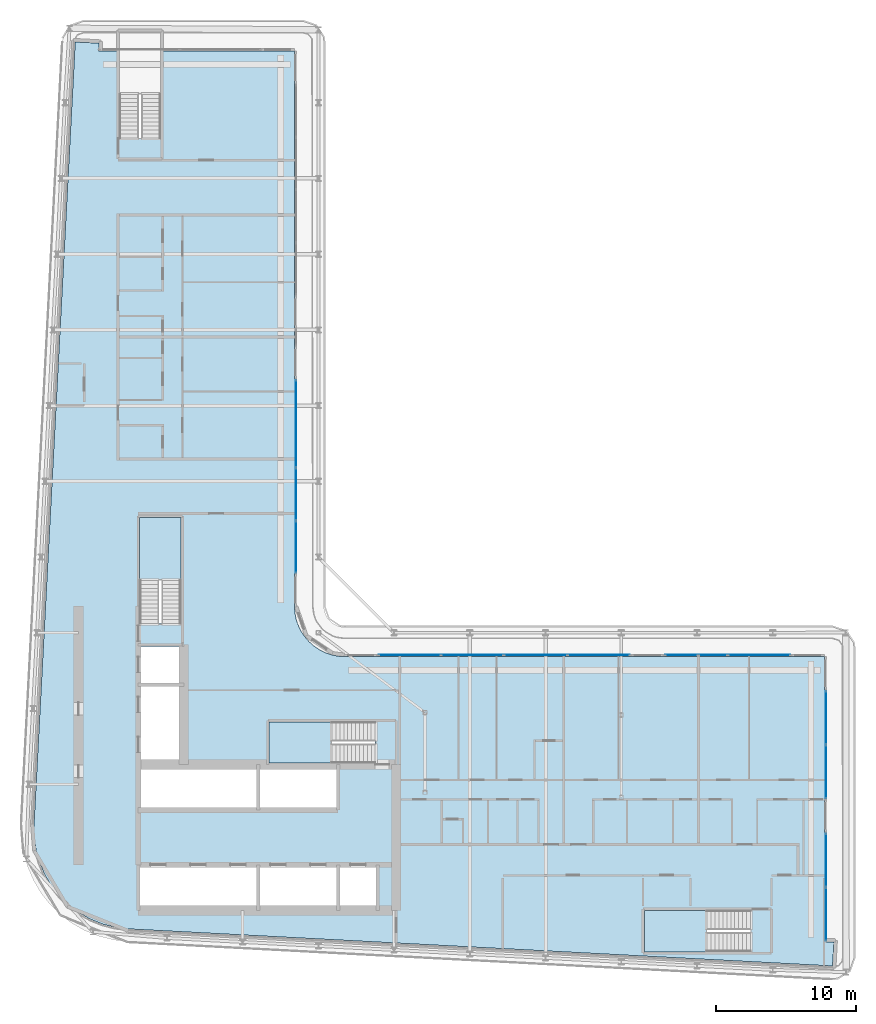
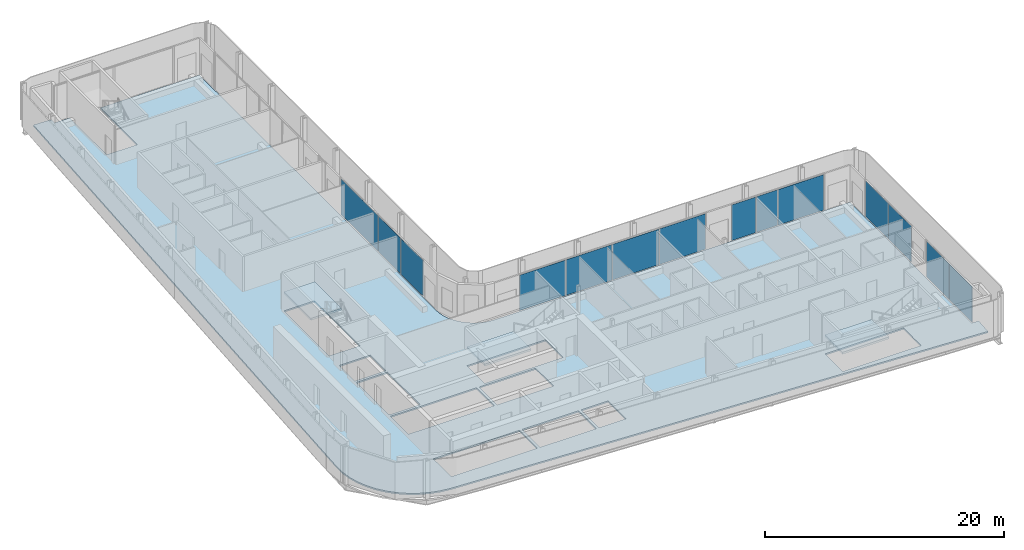
# One storey, part 8 of 21: 14 plates, 4 slabs, 10 elements without a shape of their own.
"""IFC4 building model written with IfcOpenShell, lengths in metres."""

from ifc_helpers import new_model, si_unit, direction, frame, origin, origin_2d, place, context, subcontext, project, spatial, polyline, rectangle, outline, extrude, material, layer, layer_set, type_object, element, aggregate, save


model = new_model("IFC4")

# Units and contexts
model_context = context("Model", 3, precision=1e-05, world=origin(), true_north=direction((0.0, 1.0)))
body_context = subcontext(model_context, "Body", "Model", "MODEL_VIEW")
ifc_project = project(units=[si_unit("LENGTHUNIT", "METRE"), si_unit("AREAUNIT", "SQUARE_METRE"), si_unit("VOLUMEUNIT", "CUBIC_METRE"), si_unit("PLANEANGLEUNIT", "RADIAN"), si_unit("MASSUNIT", "GRAM", prefix="KILO")], contexts=[model_context])

# Site, building, storey
site_placement = place(None, origin())
site = spatial("IfcSite", under=ifc_project, at=site_placement, CompositionType="ELEMENT")
building_placement = place(site_placement, origin())
building = spatial("IfcBuilding", under=site, at=building_placement, Name="Kheshtan School and Residences Tower", CompositionType="ELEMENT")
storey_placement = place(building_placement, frame((0.0, 0.0, 220.10009765625)))
storey = spatial("IfcBuildingStorey", under=building, at=storey_placement, Name="L51", CompositionType="ELEMENT", Elevation=220.10009765625)

# Curtain wall, plate
ifc_material_1 = material(Name="Clear low-e glass in thermally broken aluminium frame", Category="aluminium")
ifc_layer_1 = layer(ifc_material_1, 0.199951171875)
ifc_layer_set_1 = layer_set([ifc_layer_1], Name="Curtain wall CW-L")
curtain_wall_type = type_object("IfcCurtainWallType", Name="Curtain wall CW-L", PredefinedType="NOTDEFINED", material=ifc_layer_set_1)
curtain_wall_1_placement = place(storey_placement, origin())
curtain_wall_1 = element("IfcCurtainWall", 1, at=curtain_wall_1_placement, inside=storey, type_object=curtain_wall_type, Name="Curtain wall CWL4i", PredefinedType="NOTDEFINED")
ifc_layer_2 = layer(ifc_material_1, 0.031982421875)
ifc_layer_set_2 = layer_set([ifc_layer_2], Name="CW-L glass panel")
plate_type = type_object("IfcPlateType", Name="CW-L glass panel", PredefinedType="CURTAIN_PANEL", material=ifc_layer_set_2)
plate_1_placement = place(storey_placement, frame((46.0, 60.50634765625, 0.0), z_axis=(0.0, 0.0, 1.0), x_axis=(0.0, -1.0, 0.0)))
plate_1 = element("IfcPlate", 2, at=plate_1_placement, type_object=plate_type, Name="CWL4i panel 1.1", PredefinedType="CURTAIN_PANEL", context=body_context, shape_type="SweptSolid", body=[
    extrude(rectangle(XDim=6.197509765625, YDim=0.031982421875, at=origin_2d()), origin(), (0.0, 0.0, 1.0), 3.6298828125),
])
aggregate(curtain_wall_1, [plate_1])

# Curtain wall, plates
curtain_wall_2_placement = place(storey_placement, origin())
curtain_wall_2 = element("IfcCurtainWall", 3, at=curtain_wall_2_placement, inside=storey, type_object=curtain_wall_type, Name="Curtain wall CWL4a", PredefinedType="NOTDEFINED")
plate_2_placement = place(storey_placement, frame((46.0, 55.483154296875, 0.0), z_axis=(0.0, 0.0, 1.0), x_axis=(0.0, -1.0, 0.0)))
plate_2 = element("IfcPlate", 4, at=plate_2_placement, type_object=plate_type, Name="CWL4a panel 1.1", PredefinedType="CURTAIN_PANEL", context=body_context, shape_type="SweptSolid", body=[
    extrude(rectangle(XDim=3.728759765625, YDim=0.031982421875, at=origin_2d()), origin(), (0.0, 0.0, 1.0), 3.6298828125),
])
plate_3_placement = place(storey_placement, frame((46.0, 51.724365234375, 0.0), z_axis=(0.0, 0.0, 1.0), x_axis=(0.0, -1.0, 0.0)))
plate_3 = element("IfcPlate", 5, at=plate_3_placement, type_object=plate_type, Name="CWL4a panel 2.1", PredefinedType="CURTAIN_PANEL", context=body_context, shape_type="SweptSolid", body=[
    extrude(rectangle(XDim=3.668701171875, YDim=0.031982421875, at=origin_2d()), origin(), (0.0, 0.0, 1.0), 3.6298828125),
])
aggregate(curtain_wall_2, [plate_2, plate_3])

curtain_wall_3_placement = place(storey_placement, origin())
curtain_wall_3 = element("IfcCurtainWall", 6, at=curtain_wall_3_placement, inside=storey, type_object=curtain_wall_type, Name="Curtain wall CWL8n", PredefinedType="NOTDEFINED")
plate_4_placement = place(storey_placement, frame((54.100830078125, 44.0, 0.0), z_axis=(0.0, 0.0, 1.0), x_axis=(1.0, 0.0, 0.0)))
plate_4 = element("IfcPlate", 7, at=plate_4_placement, type_object=plate_type, Name="CWL8n panel 1.1", PredefinedType="CURTAIN_PANEL", context=body_context, shape_type="SweptSolid", body=[
    extrude(rectangle(XDim=4.421630859375, YDim=0.031982421875, at=origin_2d()), origin(), (0.0, 0.0, 1.0), 3.6298828125),
])
plate_5_placement = place(storey_placement, frame((58.58251953125, 44.0, 0.0), z_axis=(0.0, 0.0, 1.0), x_axis=(1.0, 0.0, 0.0)))
plate_5 = element("IfcPlate", 8, at=plate_5_placement, type_object=plate_type, Name="CWL8n panel 2.1", PredefinedType="CURTAIN_PANEL", context=body_context, shape_type="SweptSolid", body=[
    extrude(rectangle(XDim=4.421630859375, YDim=0.031982421875, at=origin_2d()), origin(), (0.0, 0.0, 1.0), 3.6298828125),
])
aggregate(curtain_wall_3, [plate_4, plate_5])

curtain_wall_4_placement = place(storey_placement, origin())
curtain_wall_4 = element("IfcCurtainWall", 9, at=curtain_wall_4_placement, inside=storey, type_object=curtain_wall_type, Name="Curtain wall CWL8n", PredefinedType="NOTDEFINED")
plate_6_placement = place(storey_placement, frame((63.09423828125, 44.0, 0.0), z_axis=(0.0, 0.0, 1.0), x_axis=(1.0, 0.0, 0.0)))
plate_6 = element("IfcPlate", 10, at=plate_6_placement, type_object=plate_type, Name="CWL8n panel 1.1", PredefinedType="CURTAIN_PANEL", context=body_context, shape_type="SweptSolid", body=[
    extrude(rectangle(XDim=4.481689453125, YDim=0.031982421875, at=origin_2d()), origin(), (0.0, 0.0, 1.0), 3.6298828125),
])
plate_7_placement = place(storey_placement, frame((67.605712890625, 44.0, 0.0), z_axis=(0.0, 0.0, 1.0), x_axis=(1.0, 0.0, 0.0)))
plate_7 = element("IfcPlate", 11, at=plate_7_placement, type_object=plate_type, Name="CWL8n panel 2.1", PredefinedType="CURTAIN_PANEL", context=body_context, shape_type="SweptSolid", body=[
    extrude(rectangle(XDim=4.421630859375, YDim=0.031982421875, at=origin_2d()), origin(), (0.0, 0.0, 1.0), 3.6298828125),
])
aggregate(curtain_wall_4, [plate_6, plate_7])

curtain_wall_5_placement = place(storey_placement, origin())
curtain_wall_5 = element("IfcCurtainWall", 12, at=curtain_wall_5_placement, inside=storey, type_object=curtain_wall_type, Name="Curtain wall CWL8o", PredefinedType="NOTDEFINED")
plate_8_placement = place(storey_placement, frame((73.50341796875, 44.0, 0.0), z_axis=(0.0, 0.0, 1.0), x_axis=(1.0, 0.0, 0.0)))
plate_8 = element("IfcPlate", 13, at=plate_8_placement, type_object=plate_type, Name="CWL8o panel 1.1", PredefinedType="CURTAIN_PANEL", context=body_context, shape_type="SweptSolid", body=[
    extrude(rectangle(XDim=2.333251953125, YDim=0.031982421875, at=origin_2d()), origin(), (0.0, 0.0, 1.0), 3.6298828125),
])
plate_9_placement = place(storey_placement, frame((75.744140625, 44.0, 0.0), z_axis=(0.0, 0.0, 1.0), x_axis=(1.0, 0.0, 0.0)))
plate_9 = element("IfcPlate", 14, at=plate_9_placement, type_object=plate_type, Name="CWL8o panel 2.1", PredefinedType="CURTAIN_PANEL", context=body_context, shape_type="SweptSolid", body=[
    extrude(rectangle(XDim=2.0283203125, YDim=0.031982421875, at=origin_2d()), origin(), (0.0, 0.0, 1.0), 3.6298828125),
])
plate_10_placement = place(storey_placement, frame((79.029052734375, 44.0, 0.0), z_axis=(0.0, 0.0, 1.0), x_axis=(1.0, 0.0, 0.0)))
plate_10 = element("IfcPlate", 15, at=plate_10_placement, type_object=plate_type, Name="CWL8o panel 3.1", PredefinedType="CURTAIN_PANEL", context=body_context, shape_type="SweptSolid", body=[
    extrude(rectangle(XDim=4.421630859375, YDim=0.031982421875, at=origin_2d()), origin(), (0.0, 0.0, 1.0), 3.6298828125),
])
aggregate(curtain_wall_5, [plate_8, plate_9, plate_10])

curtain_wall_6_placement = place(storey_placement, origin())
curtain_wall_6 = element("IfcCurtainWall", 16, at=curtain_wall_6_placement, inside=storey, type_object=curtain_wall_type, Name="Curtain wall CWL9a", PredefinedType="NOTDEFINED")
plate_11_placement = place(storey_placement, frame((83.800048828125, 39.54345703125, 0.0), z_axis=(0.0, 0.0, 1.0), x_axis=(0.0, -1.0, 0.0)))
plate_11 = element("IfcPlate", 17, at=plate_11_placement, type_object=plate_type, Name="CWL9a panel 1.1", PredefinedType="CURTAIN_PANEL", context=body_context, shape_type="SweptSolid", body=[
    extrude(rectangle(XDim=3.793212890625, YDim=0.031982421875, at=origin_2d()), origin(), (0.0, 0.0, 1.0), 3.6298828125),
])
plate_12_placement = place(storey_placement, frame((83.800048828125, 35.690185546875, 0.0), z_axis=(0.0, 0.0, 1.0), x_axis=(0.0, -1.0, 0.0)))
plate_12 = element("IfcPlate", 18, at=plate_12_placement, type_object=plate_type, Name="CWL9a panel 2.1", PredefinedType="CURTAIN_PANEL", context=body_context, shape_type="SweptSolid", body=[
    extrude(rectangle(XDim=3.793212890625, YDim=0.031982421875, at=origin_2d()), origin(), (0.0, 0.0, 1.0), 3.6298828125),
])
aggregate(curtain_wall_6, [plate_11, plate_12])

curtain_wall_7_placement = place(storey_placement, origin())
curtain_wall_7 = element("IfcCurtainWall", 19, at=curtain_wall_7_placement, inside=storey, type_object=curtain_wall_type, Name="Curtain wall CWL9a", PredefinedType="NOTDEFINED")
plate_13_placement = place(storey_placement, frame((83.800048828125, 29.376953125, 0.0), z_axis=(0.0, 0.0, 1.0), x_axis=(0.0, -1.0, 0.0)))
plate_13 = element("IfcPlate", 20, at=plate_13_placement, type_object=plate_type, Name="CWL9a panel 1.1", PredefinedType="CURTAIN_PANEL", context=body_context, shape_type="SweptSolid", body=[
    extrude(rectangle(XDim=3.793212890625, YDim=0.031982421875, at=origin_2d()), origin(), (0.0, 0.0, 1.0), 3.6298828125),
])
plate_14_placement = place(storey_placement, frame((83.800048828125, 25.523681640625, 0.0), z_axis=(0.0, 0.0, 1.0), x_axis=(0.0, -1.0, 0.0)))
plate_14 = element("IfcPlate", 21, at=plate_14_placement, type_object=plate_type, Name="CWL9a panel 2.1", PredefinedType="CURTAIN_PANEL", context=body_context, shape_type="SweptSolid", body=[
    extrude(rectangle(XDim=3.793212890625, YDim=0.031982421875, at=origin_2d()), origin(), (0.0, 0.0, 1.0), 3.6298828125),
])
aggregate(curtain_wall_7, [plate_13, plate_14])

# Slab
ifc_material_2 = material(Name="Concrete C40/50", Category="concrete")
ifc_layer_3 = layer(ifc_material_2, 0.14990234375)
ifc_layer_set_3 = layer_set([ifc_layer_3], Name="Floor slab 150 Concrete C40/50")
slab_type_1 = type_object("IfcSlabType", Name="Floor slab 150 Concrete C40/50", PredefinedType="FLOOR", material=ifc_layer_set_3)
slab_1_placement = place(storey_placement, frame((0.0, 0.0, -0.150146484375)))
element("IfcSlab", 22, at=slab_1_placement, inside=storey, type_object=slab_type_1, Name="Floor slab L51", PredefinedType="FLOOR", context=body_context, shape_type="SweptSolid", body=[
    extrude(outline(polyline([(28.0849609375, 28.345947265625), (27.718017578125, 29.200927734375), (27.466064453125, 30.093017578125), (27.466064453125, 30.093994140625), (27.3330078125, 31.013916015625), (27.320068359375, 31.965087890625), (27.320068359375, 31.970947265625), (30.25390625, 87.700927734375), (30.2548828125, 87.7080078125), (30.258056640625, 87.73095703125), (30.258056640625, 87.73193359375), (30.259033203125, 87.73193359375), (30.85400390625, 87.699951171875), (30.85498046875, 87.699951171875), (30.85498046875, 87.698974609375), (30.85498046875, 87.695068359375), (30.85498046875, 87.694091796875), (30.85595703125, 87.694091796875), (30.85595703125, 87.693115234375), (30.85693359375, 87.693115234375), (30.85791015625, 87.693115234375), (30.85791015625, 87.694091796875), (30.860107421875, 87.696044921875), (30.861083984375, 87.697021484375), (30.862060546875, 87.697998046875), (30.863037109375, 87.697998046875), (30.863037109375, 87.698974609375), (30.864013671875, 87.698974609375), (30.864013671875, 87.699951171875), (30.864990234375, 87.699951171875), (30.866943359375, 87.700927734375), (30.867919921875, 87.701904296875), (30.87109375, 87.701904296875), (30.8720703125, 87.701904296875), (30.8720703125, 87.702880859375), (30.873046875, 87.702880859375), (30.8779296875, 87.702880859375), (31.93310546875, 87.64697265625), (31.93603515625, 87.64697265625), (31.93701171875, 87.64697265625), (31.93701171875, 87.64599609375), (31.93798828125, 87.64599609375), (31.94189453125, 87.64599609375), (31.94189453125, 87.64501953125), (31.943115234375, 87.64501953125), (31.943115234375, 87.64404296875), (31.944091796875, 87.64404296875), (31.944091796875, 87.64306640625), (31.945068359375, 87.64306640625), (31.946044921875, 87.64306640625), (31.946044921875, 87.64208984375), (31.947021484375, 87.64208984375), (31.947998046875, 87.64208984375), (31.947998046875, 87.64111328125), (31.949951171875, 87.638916015625), (31.950927734375, 87.638916015625), (31.950927734375, 87.637939453125), (31.950927734375, 87.636962890625), (31.951904296875, 87.636962890625), (31.951904296875, 87.635986328125), (31.952880859375, 87.635986328125), (31.952880859375, 87.634033203125), (31.952880859375, 87.633056640625), (31.9541015625, 87.633056640625), (31.9541015625, 87.632080078125), (31.955078125, 87.632080078125), (31.955078125, 87.631103515625), (31.955078125, 87.62890625), (31.955078125, 87.6279296875), (31.9560546875, 87.6279296875), (31.9560546875, 87.626953125), (31.9560546875, 87.6220703125), (31.928955078125, 87.12109375), (31.928955078125, 87.117919921875), (31.928955078125, 87.116943359375), (31.927978515625, 87.116943359375), (31.927978515625, 87.115966796875), (31.927978515625, 87.112060546875), (31.927001953125, 87.111083984375), (31.927001953125, 87.110107421875), (31.926025390625, 87.110107421875), (31.926025390625, 87.10888671875), (31.925048828125, 87.10888671875), (31.925048828125, 87.10791015625), (31.924072265625, 87.10693359375), (31.922119140625, 87.10498046875), (31.9208984375, 87.10400390625), (31.919921875, 87.10400390625), (31.919921875, 87.10302734375), (31.919921875, 87.10205078125), (31.919921875, 87.10107421875), (31.9208984375, 87.10107421875), (31.9208984375, 87.10009765625), (31.922119140625, 87.10009765625), (33.39990234375, 87.10009765625), (33.39990234375, 80.909912109375), (34.800048828125, 80.909912109375), (34.800048828125, 80.89990234375), (36.35009765625, 80.89990234375), (36.35009765625, 87.10009765625), (45.85498046875, 87.10009765625), (45.864990234375, 87.097900390625), (45.865966796875, 87.097900390625), (45.868896484375, 87.095947265625), (45.8740234375, 87.093994140625), (45.8779296875, 87.092041015625), (45.881103515625, 87.090087890625), (45.881103515625, 87.089111328125), (45.882080078125, 87.089111328125), (45.882080078125, 87.087890625), (45.883056640625, 87.087890625), (45.884033203125, 87.0849609375), (45.885009765625, 87.0849609375), (45.885009765625, 87.083984375), (45.887939453125, 87.0830078125), (45.887939453125, 87.08203125), (45.888916015625, 87.08203125), (45.888916015625, 87.0810546875), (45.889892578125, 87.0810546875), (45.89208984375, 87.077880859375), (45.89404296875, 87.073974609375), (45.89599609375, 87.069091796875), (45.89794921875, 87.06591796875), (45.89794921875, 87.06494140625), (45.89990234375, 87.054931640625), (45.89990234375, 47.429931640625), (45.927001953125, 47.030029296875), (46.01806640625, 46.570068359375), (46.01806640625, 46.569091796875), (46.169921875, 46.1201171875), (46.37890625, 45.697021484375), (46.638916015625, 45.30810546875), (46.949951171875, 44.950927734375), (46.950927734375, 44.949951171875), (47.30810546875, 44.638916015625), (47.697021484375, 44.37890625), (48.1201171875, 44.169921875), (48.569091796875, 44.01806640625), (48.570068359375, 44.01806640625), (49.030029296875, 43.927001953125), (49.429931640625, 43.89990234375), (83.655029296875, 43.89990234375), (83.659912109375, 43.89892578125), (83.6650390625, 43.89794921875), (83.666015625, 43.89794921875), (83.6689453125, 43.89599609375), (83.674072265625, 43.89404296875), (83.677978515625, 43.89208984375), (83.680908203125, 43.889892578125), (83.680908203125, 43.888916015625), (83.681884765625, 43.888916015625), (83.681884765625, 43.887939453125), (83.68310546875, 43.887939453125), (83.68408203125, 43.885009765625), (83.68505859375, 43.885009765625), (83.68505859375, 43.884033203125), (83.68798828125, 43.883056640625), (83.68798828125, 43.882080078125), (83.68896484375, 43.882080078125), (83.68896484375, 43.881103515625), (83.68994140625, 43.881103515625), (83.69189453125, 43.8779296875), (83.694091796875, 43.8740234375), (83.696044921875, 43.868896484375), (83.697998046875, 43.865966796875), (83.697998046875, 43.864990234375), (83.699951171875, 43.85498046875), (83.699951171875, 23.56201171875), (83.699951171875, 23.56103515625), (83.700927734375, 23.56103515625), (83.700927734375, 23.56005859375), (83.701904296875, 23.56005859375), (83.702880859375, 23.56005859375), (83.702880859375, 23.56103515625), (83.705078125, 23.56298828125), (83.7060546875, 23.56396484375), (83.70703125, 23.56494140625), (83.7080078125, 23.56494140625), (83.7080078125, 23.56591796875), (83.708984375, 23.56591796875), (83.708984375, 23.56689453125), (83.7099609375, 23.56689453125), (83.712890625, 23.569091796875), (83.716064453125, 23.569091796875), (83.717041015625, 23.569091796875), (83.717041015625, 23.570068359375), (83.718017578125, 23.570068359375), (83.722900390625, 23.570068359375), (84.337890625, 23.537109375), (84.341064453125, 23.537109375), (84.342041015625, 23.537109375), (84.342041015625, 23.535888671875), (84.343017578125, 23.535888671875), (84.346923828125, 23.535888671875), (84.346923828125, 23.534912109375), (84.347900390625, 23.534912109375), (84.347900390625, 23.533935546875), (84.34912109375, 23.533935546875), (84.34912109375, 23.532958984375), (84.35009765625, 23.532958984375), (84.35107421875, 23.532958984375), (84.35107421875, 23.531982421875), (84.35205078125, 23.531982421875), (84.35302734375, 23.531982421875), (84.35302734375, 23.531005859375), (84.35498046875, 23.529052734375), (84.35595703125, 23.529052734375), (84.35595703125, 23.528076171875), (84.35595703125, 23.527099609375), (84.35693359375, 23.527099609375), (84.35693359375, 23.52587890625), (84.35791015625, 23.52587890625), (84.35791015625, 23.52490234375), (84.35791015625, 23.52392578125), (84.35791015625, 23.52294921875), (84.35888671875, 23.52294921875), (84.35888671875, 23.52197265625), (84.360107421875, 23.52197265625), (84.360107421875, 23.52099609375), (84.360107421875, 23.51904296875), (84.360107421875, 23.51806640625), (84.361083984375, 23.51806640625), (84.361083984375, 23.51708984375), (84.361083984375, 23.511962890625), (84.304931640625, 22.455078125), (84.304931640625, 22.451904296875), (84.304931640625, 22.450927734375), (84.303955078125, 22.450927734375), (84.303955078125, 22.449951171875), (84.303955078125, 22.446044921875), (84.302978515625, 22.445068359375), (84.302978515625, 22.444091796875), (84.302001953125, 22.444091796875), (84.302001953125, 22.443115234375), (84.301025390625, 22.443115234375), (84.301025390625, 22.44189453125), (84.300048828125, 22.44091796875), (84.298095703125, 22.43896484375), (84.297119140625, 22.43798828125), (84.2958984375, 22.43798828125), (84.2958984375, 22.43701171875), (84.2958984375, 22.43603515625), (84.2958984375, 22.43505859375), (84.297119140625, 22.43505859375), (84.297119140625, 22.43408203125), (84.298095703125, 22.43408203125), (84.299072265625, 22.43408203125), (84.300048828125, 22.43408203125), (84.300048828125, 22.43310546875), (84.26806640625, 21.837890625), (84.26806640625, 21.8369140625), (84.26708984375, 21.8369140625), (84.242919921875, 21.8359375), (84.238037109375, 21.8359375), (34.056884765625, 24.47802734375), (33.114990234375, 24.590087890625), (32.215087890625, 24.819091796875), (32.214111328125, 24.819091796875), (31.35205078125, 25.1630859375), (30.541015625, 25.616943359375), (29.799072265625, 26.1708984375), (29.799072265625, 26.172119140625), (29.798095703125, 26.172119140625), (29.134033203125, 26.820068359375), (29.134033203125, 26.821044921875), (29.133056640625, 26.821044921875), (28.55908203125, 27.550048828125), (28.0849609375, 28.345947265625)]), holes=[polyline([(83.699951171875, 22.44091796875), (83.699951171875, 22.43994140625), (83.699951171875, 22.43603515625), (83.699951171875, 22.43505859375), (83.700927734375, 22.43505859375), (83.700927734375, 22.43408203125), (83.701904296875, 22.43408203125), (83.7060546875, 22.43408203125), (83.70703125, 22.43408203125), (83.70703125, 22.43505859375), (83.7080078125, 22.43505859375), (83.7080078125, 22.43603515625), (83.7080078125, 22.43701171875), (83.70703125, 22.43701171875), (83.7060546875, 22.43798828125), (83.7041015625, 22.43994140625), (83.702880859375, 22.44091796875), (83.702880859375, 22.44189453125), (83.701904296875, 22.44189453125), (83.700927734375, 22.44189453125), (83.700927734375, 22.44091796875), (83.699951171875, 22.44091796875)]), polyline([(30.85498046875, 87.10693359375), (30.85498046875, 87.10595703125), (30.85498046875, 87.10205078125), (30.85498046875, 87.10107421875), (30.85595703125, 87.10107421875), (30.85595703125, 87.10009765625), (30.85693359375, 87.10009765625), (30.861083984375, 87.10009765625), (30.862060546875, 87.10009765625), (30.862060546875, 87.10107421875), (30.863037109375, 87.10107421875), (30.863037109375, 87.10205078125), (30.863037109375, 87.10302734375), (30.862060546875, 87.10302734375), (30.861083984375, 87.10400390625), (30.860107421875, 87.10498046875), (30.85888671875, 87.10595703125), (30.85791015625, 87.10693359375), (30.85791015625, 87.10791015625), (30.85693359375, 87.10791015625), (30.85595703125, 87.10791015625), (30.85595703125, 87.10693359375), (30.85498046875, 87.10693359375)]), polyline([(43.175048828125, 28.925048828125), (34.875, 28.925048828125), (34.875, 25.925048828125), (43.175048828125, 25.925048828125), (43.175048828125, 28.925048828125)]), polyline([(43.175048828125, 36.074951171875), (34.875, 36.074951171875), (34.875, 33.074951171875), (43.175048828125, 33.074951171875), (43.175048828125, 36.074951171875)]), polyline([(34.875, 41.77490234375), (34.875, 36.324951171875), (37.875, 36.324951171875), (37.875, 41.77490234375), (34.875, 41.77490234375)]), polyline([(37.875, 44.625), (34.875, 44.625), (34.875, 42.02490234375), (37.875, 42.02490234375), (37.875, 44.625)]), polyline([(36.25, 46.25), (37.800048828125, 46.25), (37.800048828125, 53.81005859375), (34.85009765625, 53.81005859375), (34.85009765625, 46.260009765625), (36.25, 46.260009765625), (36.25, 46.25)]), polyline([(70.85009765625, 25.800048828125), (70.85009765625, 22.85009765625), (78.39990234375, 22.85009765625), (78.39990234375, 24.25), (78.409912109375, 24.25), (78.409912109375, 25.800048828125), (70.85009765625, 25.800048828125)]), polyline([(43.425048828125, 28.925048828125), (43.425048828125, 25.925048828125), (48.875, 25.925048828125), (48.875, 28.925048828125), (43.425048828125, 28.925048828125)]), polyline([(49.125, 28.925048828125), (49.125, 25.925048828125), (51.72509765625, 25.925048828125), (51.72509765625, 28.925048828125), (49.125, 28.925048828125)]), polyline([(43.425048828125, 36.074951171875), (43.425048828125, 33.074951171875), (48.875, 33.074951171875), (48.875, 36.074951171875), (43.425048828125, 36.074951171875)]), polyline([(51.64990234375, 37.699951171875), (51.64990234375, 39.25), (44.090087890625, 39.25), (44.090087890625, 36.300048828125), (51.639892578125, 36.300048828125), (51.639892578125, 37.699951171875), (51.64990234375, 37.699951171875)])]), origin(), (0.0, 0.0, 1.0), 0.150146484375),
])

# Stair, slab
stair_type = type_object("IfcStairType", Name="Exit stair, half-turn", PredefinedType="HALF_TURN_STAIR", material=ifc_material_2)
stair_1_placement = place(storey_placement, origin())
stair_1 = element("IfcStair", 23, at=stair_1_placement, inside=storey, type_object=stair_type, Name="L51 Protected Exit Stair ST1", PredefinedType="HALF_TURN_STAIR")
ifc_layer_4 = layer(ifc_material_2, 0.199951171875)
ifc_layer_set_4 = layer_set([ifc_layer_4], Name="Stair landing 200 Concrete C40/50")
slab_type_2 = type_object("IfcSlabType", Name="Stair landing 200 Concrete C40/50", PredefinedType="LANDING", material=ifc_layer_set_4)
slab_2_placement = place(storey_placement, frame((0.0, 0.0, 1.75)))
slab_2 = element("IfcSlab", 24, at=slab_2_placement, type_object=slab_type_2, Name="ST1 landing 1", PredefinedType="LANDING", context=body_context, shape_type="SweptSolid", body=[
    extrude(outline(polyline([(48.570068359375, 39.25), (44.090087890625, 39.25), (44.090087890625, 36.300048828125), (48.570068359375, 36.300048828125), (48.570068359375, 39.25)])), origin(), (0.0, 0.0, 1.0), 0.199951171875),
])
aggregate(stair_1, [slab_2])

stair_2_placement = place(storey_placement, origin())
stair_2 = element("IfcStair", 25, at=stair_2_placement, inside=storey, type_object=stair_type, Name="L51 Protected Exit Stair ST2", PredefinedType="HALF_TURN_STAIR")
slab_3_placement = place(storey_placement, frame((0.0, 0.0, 1.75)))
slab_3 = element("IfcSlab", 26, at=slab_3_placement, type_object=slab_type_2, Name="ST2 landing 1", PredefinedType="LANDING", context=body_context, shape_type="SweptSolid", body=[
    extrude(outline(polyline([(37.800048828125, 49.330078125), (37.800048828125, 53.81005859375), (34.85009765625, 53.81005859375), (34.85009765625, 49.330078125), (37.800048828125, 49.330078125)])), origin(), (0.0, 0.0, 1.0), 0.199951171875),
])
aggregate(stair_2, [slab_3])

stair_3_placement = place(storey_placement, origin())
stair_3 = element("IfcStair", 27, at=stair_3_placement, inside=storey, type_object=stair_type, Name="L51 Protected Exit Stair ST5", PredefinedType="HALF_TURN_STAIR")
slab_4_placement = place(storey_placement, frame((0.0, 0.0, 1.75)))
slab_4 = element("IfcSlab", 28, at=slab_4_placement, type_object=slab_type_2, Name="ST5 landing 1", PredefinedType="LANDING", context=body_context, shape_type="SweptSolid", body=[
    extrude(outline(polyline([(75.330078125, 25.800048828125), (70.85009765625, 25.800048828125), (70.85009765625, 22.85009765625), (75.330078125, 22.85009765625), (75.330078125, 25.800048828125)])), origin(), (0.0, 0.0, 1.0), 0.199951171875),
])
aggregate(stair_3, [slab_4])

save(model, "model.ifc")
